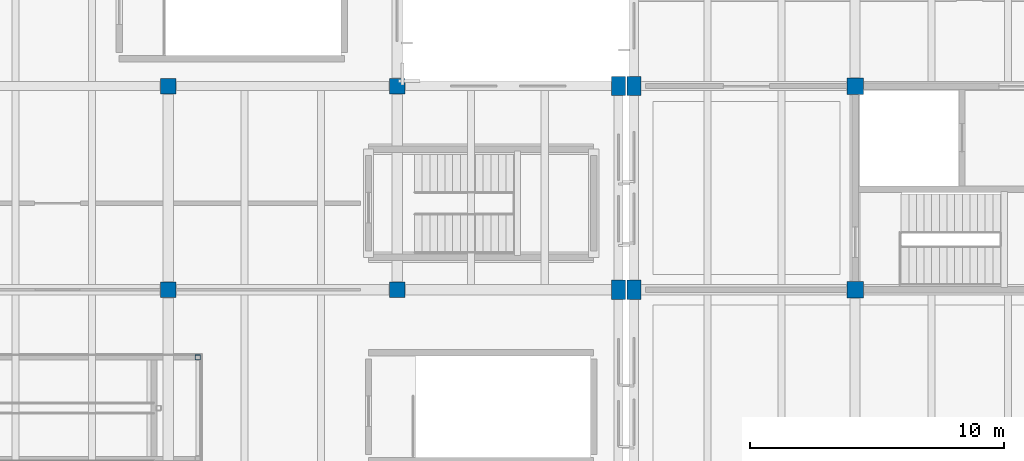
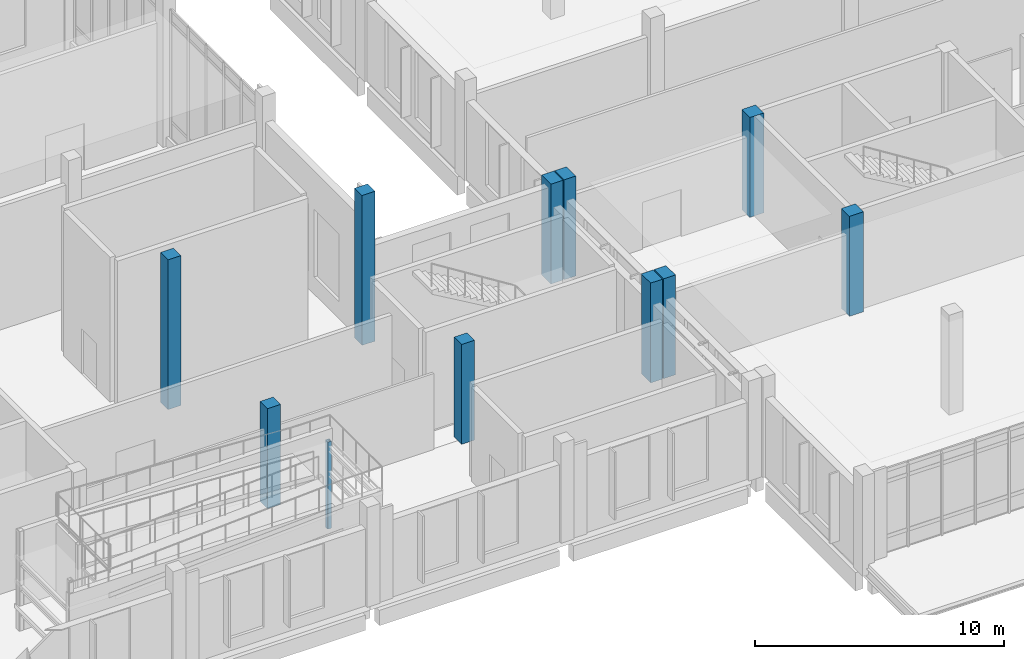
# One storey, part 5 of 110: 11 columns.
"""IFC4 building model written with IfcOpenShell, lengths in metres."""

from ifc_helpers import new_model, si_unit, direction, frame, origin, origin_2d, place, context, subcontext, project, spatial, rectangle, hollow_rectangle, extrude, material, material_profile, profile_set, type_object, element, save


model = new_model("IFC4")

# Units and contexts
model_context = context("Model", 3, precision=1e-05, world=origin(), true_north=direction((0.0, 1.0)))
body_context = subcontext(model_context, "Body", "Model", "MODEL_VIEW")
ifc_project = project(units=[si_unit("LENGTHUNIT", "METRE"), si_unit("AREAUNIT", "SQUARE_METRE"), si_unit("VOLUMEUNIT", "CUBIC_METRE"), si_unit("PLANEANGLEUNIT", "RADIAN"), si_unit("MASSUNIT", "GRAM", prefix="KILO")], contexts=[model_context])

# Site, building, storey
site_placement = place(None, origin())
site = spatial("IfcSite", under=ifc_project, at=site_placement, CompositionType="ELEMENT")
building_placement = place(site_placement, origin())
building = spatial("IfcBuilding", under=site, at=building_placement, Name="Zacnel Wholesale Market", CompositionType="ELEMENT")
storey_placement = place(building_placement, frame((0.0, 0.0, 6.300048828125)))
storey = spatial("IfcBuildingStorey", under=building, at=storey_placement, Name="L02", CompositionType="ELEMENT", Elevation=6.300048828125)

# Columns
ifc_material_1 = material(Name="Precast concrete C45/55", Category="concrete")
ifc_material_profile_1 = material_profile(ifc_material_1, rectangle(XDim=0.550048828125, YDim=0.75, at=origin_2d()), Name="PC 550x750")
ifc_profile_set_1 = profile_set([ifc_material_profile_1], Name="Precast concrete C45/55")
column_type_1 = type_object("IfcColumnType", Name="COL-MJ550X750", PredefinedType="COLUMN", material=ifc_profile_set_1)
for number, where, z_axis, x_axis, name in (
    (1, (143.699951171875, 16.0, 0.0), (0.0, 0.0, 1.0), (1.0, 0.0, 0.0), "Precast column L02-0525"),
    (2, (143.699951171875, 24.0, 0.0), (0.0, 0.0, 1.0), (1.0, 0.0, 0.0), "Precast column L02-0526"),
    (3, (144.300048828125, 16.0, 0.0), (0.0, 0.0, 1.0), (1.0, 0.0, 0.0), "Precast column L02-0532"),
    (4, (144.300048828125, 24.0, 0.0), (0.0, 0.0, 1.0), (1.0, 0.0, 0.0), "Precast column L02-0533"),
):
    element("IfcColumn", number, at=place(storey_placement, frame(where, z_axis=z_axis, x_axis=x_axis)), inside=storey, type_object=column_type_1, Name=name, PredefinedType="COLUMN", context=body_context, shape_type="SweptSolid", body=[
        extrude(rectangle(XDim=0.550048828125, YDim=0.75, at=origin_2d()), origin(), (0.0, 0.0, 1.0), 4.89990234375),
    ])
ifc_material_2 = material(Name="Precast concrete C45/55", Category="concrete")
ifc_material_profile_2 = material_profile(ifc_material_2, rectangle(XDim=0.60009765625, YDim=0.60009765625, at=origin_2d()), Name="PC 600x600")
ifc_profile_set_2 = profile_set([ifc_material_profile_2], Name="Precast concrete C45/55")
column_type_2 = type_object("IfcColumnType", Name="COL-PC600", PredefinedType="COLUMN", material=ifc_profile_set_2)
column_1_placement = place(storey_placement, frame((126.0, 16.0, 0.0), z_axis=(0.0, 0.0, 1.0), x_axis=(1.0, 0.0, 0.0)))
element("IfcColumn", 5, at=column_1_placement, inside=storey, type_object=column_type_2, Name="Precast column L02-0509", PredefinedType="COLUMN", context=body_context, shape_type="SweptSolid", body=[
    extrude(rectangle(XDim=0.60009765625, YDim=0.60009765625, at=origin_2d()), origin(), (0.0, 0.0, 1.0), 4.89990234375),
])
column_2_placement = place(storey_placement, frame((126.0, 24.0, 0.0), z_axis=(0.0, 0.0, 1.0), x_axis=(1.0, 0.0, 0.0)))
element("IfcColumn", 6, at=column_2_placement, inside=storey, type_object=column_type_2, Name="Precast column L02-0510", PredefinedType="COLUMN", context=body_context, shape_type="SweptSolid", body=[
    extrude(rectangle(XDim=0.60009765625, YDim=0.60009765625, at=origin_2d()), origin(), (0.0, 0.0, 1.0), 7.349853515625),
])
column_3_placement = place(storey_placement, frame((135.0, 16.0, 0.0), z_axis=(0.0, 0.0, 1.0), x_axis=(1.0, 0.0, 0.0)))
element("IfcColumn", 7, at=column_3_placement, inside=storey, type_object=column_type_2, Name="Precast column L02-0517", PredefinedType="COLUMN", context=body_context, shape_type="SweptSolid", body=[
    extrude(rectangle(XDim=0.60009765625, YDim=0.60009765625, at=origin_2d()), origin(), (0.0, 0.0, 1.0), 4.89990234375),
])
column_4_placement = place(storey_placement, frame((135.0, 24.0, 0.0), z_axis=(0.0, 0.0, 1.0), x_axis=(1.0, 0.0, 0.0)))
element("IfcColumn", 8, at=column_4_placement, inside=storey, type_object=column_type_2, Name="Precast column L02-0518", PredefinedType="COLUMN", context=body_context, shape_type="SweptSolid", body=[
    extrude(rectangle(XDim=0.60009765625, YDim=0.60009765625, at=origin_2d()), origin(), (0.0, 0.0, 1.0), 7.349853515625),
])
ifc_material_3 = material(Name="Precast concrete C45/55", Category="concrete")
ifc_material_profile_3 = material_profile(ifc_material_3, rectangle(XDim=0.64990234375, YDim=0.64990234375, at=origin_2d()), Name="PC 650x650")
ifc_profile_set_3 = profile_set([ifc_material_profile_3], Name="Precast concrete C45/55")
column_type_3 = type_object("IfcColumnType", Name="COL-PC650", PredefinedType="COLUMN", material=ifc_profile_set_3)
for number, where, z_axis, x_axis, name in (
    (9, (153.0, 16.0, 0.0), (0.0, 0.0, 1.0), (1.0, 0.0, 0.0), "Precast column L02-0548"),
    (10, (153.0, 24.0, 0.0), (0.0, 0.0, 1.0), (1.0, 0.0, 0.0), "Precast column L02-0549"),
):
    element("IfcColumn", number, at=place(storey_placement, frame(where, z_axis=z_axis, x_axis=x_axis)), inside=storey, type_object=column_type_3, Name=name, PredefinedType="COLUMN", context=body_context, shape_type="SweptSolid", body=[
        extrude(rectangle(XDim=0.64990234375, YDim=0.64990234375, at=origin_2d()), origin(), (0.0, 0.0, 1.0), 4.89990234375),
    ])
ifc_material_4 = material(Name="Steel S355", Category="steel")
ifc_material_profile_4 = material_profile(ifc_material_4, hollow_rectangle(XDim=0.199951171875, YDim=0.199951171875, WallThickness=0.010009765625, InnerFilletRadius=0.010009765625, OuterFilletRadius=0.02001953125, at=origin_2d()), Name="HSS 200x200x10")
ifc_profile_set_4 = profile_set([ifc_material_profile_4], Name="Steel S355")
column_type_4 = type_object("IfcColumnType", Name="COL-STL-HSS200", PredefinedType="COLUMN", material=ifc_profile_set_4)
column_5_placement = place(storey_placement, frame((127.160888671875, 13.340087890625, 0.0), z_axis=(0.0, 0.0, 1.0), x_axis=(1.0, 0.0, 0.0)))
element("IfcColumn", 11, at=column_5_placement, inside=storey, type_object=column_type_4, Name="Accessible ramp RP-04 (RMP-PROM-2) support column 6", PredefinedType="COLUMN", context=body_context, shape_type="SweptSolid", body=[
    extrude(hollow_rectangle(XDim=0.199951171875, YDim=0.199951171875, WallThickness=0.010009765625, InnerFilletRadius=0.010009765625, OuterFilletRadius=0.02001953125, at=origin_2d()), origin(), (0.0, 0.0, 1.0), 4.267333984375),
])

save(model, "model.ifc")
